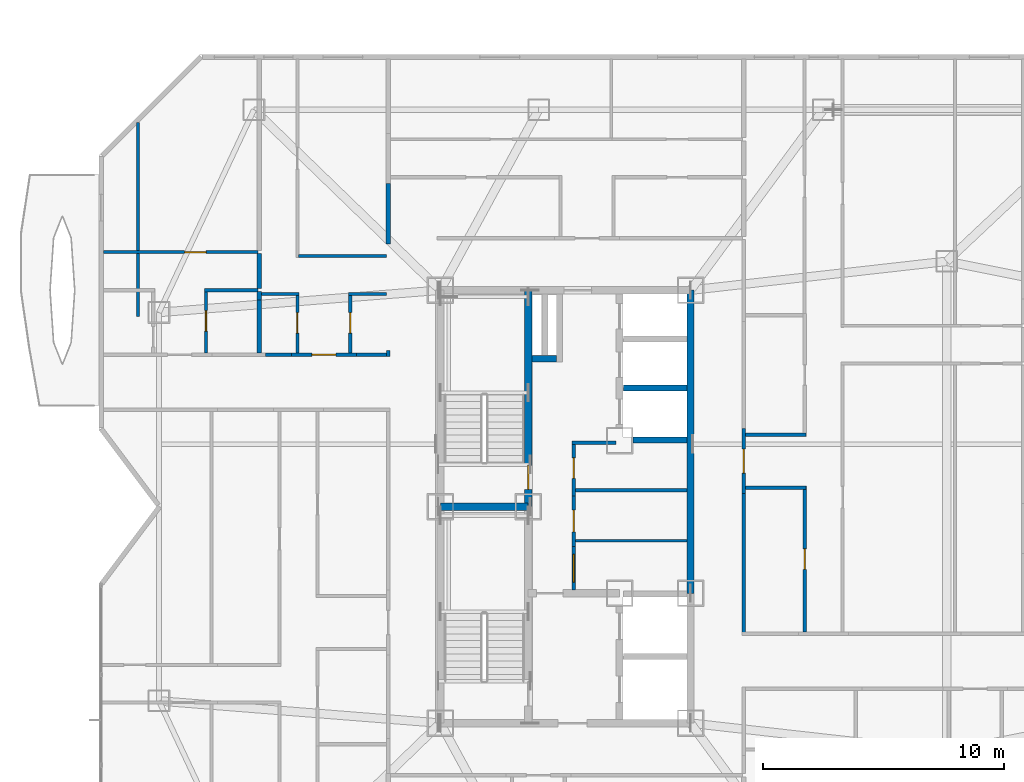
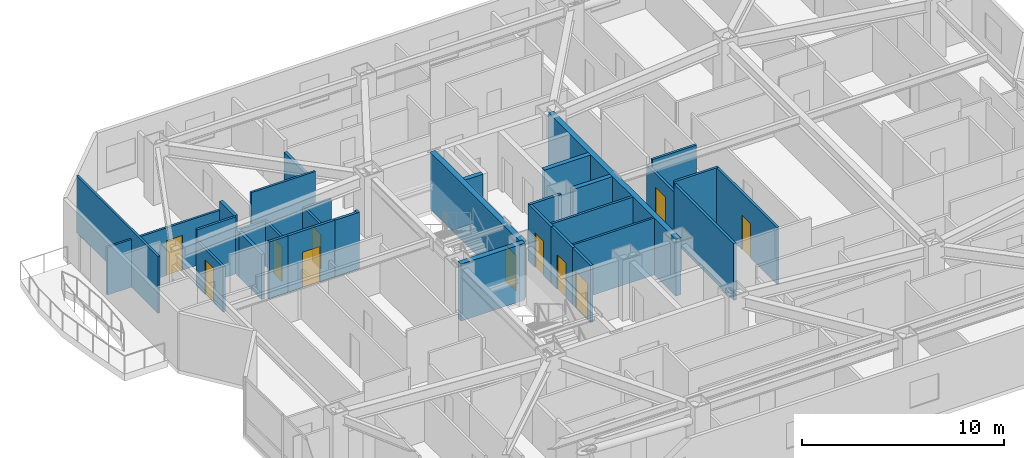
# One storey, part 11 of 16: 34 walls, 11 doors, 11 openings.
"""IFC4 building model written with IfcOpenShell, lengths in metres."""

import ifcopenshell
import ifcopenshell.guid

model = None  # the IFC model being written
_history = None  # IfcOwnerHistory: only IFC2X3 demands one
_inside = {}  # id of a spatial element -> (the spatial element, [elements in it])
_under = {}  # id of a project, library or spatial element -> (it, [spatial elements below it])
_declared = {}  # id of a project -> (the project, [libraries it declares])
_typed = {}  # id of a type object -> (the type object, [elements of that type])
_made_of = {}  # id of a material, layer set ... -> (it, [elements and type objects made of it])


def new_model(schema):
    """Start an empty IFC model of exactly this schema.

    Asked for "IFC4X3", IfcOpenShell would pick the latest addendum, in which some entities
    have other attributes; the version numbers below select the first issue.
    IFC2X3 requires an IfcOwnerHistory on every rooted entity: one is made here for all.
    """
    global model, _history
    if schema == "IFC4X3":
        model = ifcopenshell.file(schema_version=(4, 3, 0, 0))
    else:
        model = ifcopenshell.file(schema=schema)
    _inside.clear()
    _under.clear()
    _declared.clear()
    _typed.clear()
    _made_of.clear()
    _history = None
    if model.schema == "IFC2X3":
        org = make("IfcOrganization", Name="unknown")
        user = make(
            "IfcPersonAndOrganization",
            ThePerson=make("IfcPerson", FamilyName="unknown"),
            TheOrganization=org,
        )
        app = make(
            "IfcApplication",
            ApplicationDeveloper=org,
            Version="unknown",
            ApplicationFullName="unknown",
            ApplicationIdentifier="unknown",
        )
        _history = make(
            "IfcOwnerHistory",
            OwningUser=user,
            OwningApplication=app,
            ChangeAction="ADDED",
            CreationDate=0,
        )
    return model


def make(cls, **values):
    """One entity of the class cls with the attributes given. An attribute that is None is left unset."""
    return model.create_entity(
        cls, **{name: value for name, value in values.items() if value is not None}
    )


def rooted(cls, **values):
    """An entity with a GlobalId (a new one), such as an element, a storey or a relation."""
    return make(cls, GlobalId=ifcopenshell.guid.new(), OwnerHistory=_history, **values)


def si_unit(unit_type, name, prefix=None):
    """IfcSIUnit, for example si_unit("LENGTHUNIT", "METRE", prefix="MILLI")."""
    return make("IfcSIUnit", UnitType=unit_type, Prefix=prefix, Name=name)


def assignment(units):
    """IfcUnitAssignment: the units of a project."""
    return None if units is None else make("IfcUnitAssignment", Units=units)


def point(xyz):
    """IfcCartesianPoint."""
    return None if xyz is None else make("IfcCartesianPoint", Coordinates=xyz)


def direction(xyz):
    """IfcDirection."""
    return None if xyz is None else make("IfcDirection", DirectionRatios=xyz)


def frame(location, z_axis=None, x_axis=None):
    """IfcAxis2Placement3D, a coordinate frame: its origin and axes. An axis left out is left unset."""
    return make(
        "IfcAxis2Placement3D",
        Location=point(location),
        Axis=direction(z_axis),
        RefDirection=direction(x_axis),
    )


def frame_2d(location, x_axis=None):
    """IfcAxis2Placement2D, a coordinate frame in the plane: its origin and x axis."""
    return make(
        "IfcAxis2Placement2D", Location=point(location), RefDirection=direction(x_axis)
    )


def origin():
    """The frame at (0, 0, 0) with its axes left unset."""
    return frame((0.0, 0.0, 0.0))


def place(relative_to, where):
    """IfcLocalPlacement: puts the frame where relative to a parent placement (None: the world)."""
    return make(
        "IfcLocalPlacement", PlacementRelTo=relative_to, RelativePlacement=where
    )


def context(
    kind, dimensions, precision=None, world=None, true_north=None, identifier=None
):
    """IfcGeometricRepresentationContext, for example the 3D "Model" context."""
    return make(
        "IfcGeometricRepresentationContext",
        ContextIdentifier=identifier,
        ContextType=kind,
        CoordinateSpaceDimension=dimensions,
        Precision=precision,
        WorldCoordinateSystem=world,
        TrueNorth=true_north,
    )


def subcontext(parent, identifier, kind, view, scale=None):
    """IfcGeometricRepresentationSubContext, for example "Body" below "Model"."""
    return make(
        "IfcGeometricRepresentationSubContext",
        ContextIdentifier=identifier,
        ContextType=kind,
        ParentContext=parent,
        TargetScale=scale,
        TargetView=view,
    )


def project(units=None, contexts=None):
    """IfcProject with its units and contexts."""
    return rooted(
        "IfcProject",
        Name="project",
        RepresentationContexts=contexts,
        UnitsInContext=assignment(units),
    )


def spatial(cls, under=None, at=None, **own):
    """A site, building, storey or space (cls), placed at a placement, below another one or the project."""
    s = rooted(cls, ObjectPlacement=at, **own)
    if under is not None:
        _under.setdefault(under.id(), (under, []))[1].append(s)
    return s


def profile(cls, at=None, kind="AREA", **sizes):
    """A parametric profile (cls). Its sizes go by their IFC names, for example OverallWidth=200.0."""
    return make(cls, ProfileType=kind, Position=at, **sizes)


def rectangle(**sizes):
    """IfcRectangleProfileDef."""
    return profile("IfcRectangleProfileDef", **sizes)


def extrude(swept, where, along, depth):
    """IfcExtrudedAreaSolid: the profile swept, set in the frame where, extruded along a direction by depth."""
    return make(
        "IfcExtrudedAreaSolid",
        SweptArea=swept,
        Position=where,
        ExtrudedDirection=direction(along),
        Depth=depth,
    )


def shape(context_of_items, identifier, shape_type, items):
    """IfcShapeRepresentation: the items that make up one representation, for example the "Body"."""
    return make(
        "IfcShapeRepresentation",
        ContextOfItems=context_of_items,
        RepresentationIdentifier=identifier,
        RepresentationType=shape_type,
        Items=items,
    )


def material(Name=None, Category=None):
    """IfcMaterial."""
    return make("IfcMaterial", Name=Name, Category=Category)


def layer(
    of_material, thickness, ventilated=None, Name=None, Category=None, Priority=None
):
    """IfcMaterialLayer: one layer of a wall or slab, of a material (None: an air gap)."""
    return make(
        "IfcMaterialLayer",
        Material=of_material,
        LayerThickness=thickness,
        IsVentilated=ventilated,
        Name=Name,
        Category=Category,
        Priority=Priority,
    )


def layer_set(layers, Name=None):
    """IfcMaterialLayerSet."""
    return make("IfcMaterialLayerSet", MaterialLayers=layers, LayerSetName=Name)


def made_of(thing, what):
    """Note that an element or type object is made of a material, layer set ...; save() writes the relation."""
    if what is not None:
        _made_of.setdefault(what.id(), (what, []))[1].append(thing)
    return thing


def type_object(cls, material=None, **own):
    """A type object (cls), such as IfcWallType, which elements share."""
    return made_of(rooted(cls, **own), material)


def element(
    cls,
    number,
    at=None,
    inside=None,
    cuts=None,
    type_object=None,
    material=None,
    context=None,
    identifier="Body",
    shape_type=None,
    held_by="IfcProductDefinitionShape",
    body=None,
    shapes=None,
    **own,
):
    """One element of the class cls, such as IfcWall. Its Tag is "e" and its number.

    at: its placement. inside: the storey or other place that contains it. cuts: it is an
    opening in that element (IfcRelVoidsElement). A single representation is given by context,
    identifier, shape_type and body (its items); several are given by shapes. held_by: the class
    of the entity that holds the representations. save() writes the other relations.
    """
    e = rooted(cls, Tag="e%d" % number, ObjectPlacement=at, **own)
    if body is not None:
        shapes = [shape(context, identifier, shape_type, body)]
    if shapes is not None:
        e.Representation = make(held_by, Representations=shapes)
    if inside is not None:
        _inside.setdefault(inside.id(), (inside, []))[1].append(e)
    if cuts is not None:
        rooted(
            "IfcRelVoidsElement", RelatingBuildingElement=cuts, RelatedOpeningElement=e
        )
    if type_object is not None:
        _typed.setdefault(type_object.id(), (type_object, []))[1].append(e)
    return made_of(e, material)


def fill(opening, filler):
    """IfcRelFillsElement: the door or window that sits in an opening."""
    return rooted(
        "IfcRelFillsElement",
        RelatingOpeningElement=opening,
        RelatedBuildingElement=filler,
    )


def aggregate(whole, parts):
    """IfcRelAggregates: a whole, such as a stair, and the parts it consists of."""
    return rooted("IfcRelAggregates", RelatingObject=whole, RelatedObjects=parts)


def save(model, path):
    """Write the relations noted so far, then the file.

    IfcRelAggregates (storeys below a building ...), IfcRelContainedInSpatialStructure (elements
    in a storey), IfcRelDefinesByType, IfcRelAssociatesMaterial and IfcRelDeclares: one each for
    every whole, place, type object, material and project.
    """
    for whole, parts in _under.values():
        aggregate(whole, parts)
    for where, things in _inside.values():
        rooted(
            "IfcRelContainedInSpatialStructure",
            RelatedElements=things,
            RelatingStructure=where,
        )
    for kind, things in _typed.values():
        rooted("IfcRelDefinesByType", RelatedObjects=things, RelatingType=kind)
    for what, things in _made_of.values():
        rooted("IfcRelAssociatesMaterial", RelatedObjects=things, RelatingMaterial=what)
    for by, libraries in _declared.values():
        rooted("IfcRelDeclares", RelatingContext=by, RelatedDefinitions=libraries)
    model.write(path)


model = new_model("IFC4")

# Units and contexts
model_context = context("Model", 3, precision=1e-05, world=origin(), true_north=direction((0.0, 1.0)))
body_context = subcontext(model_context, "Body", "Model", "MODEL_VIEW")
ifc_project = project(units=[si_unit("LENGTHUNIT", "METRE"), si_unit("AREAUNIT", "SQUARE_METRE"), si_unit("VOLUMEUNIT", "CUBIC_METRE"), si_unit("PLANEANGLEUNIT", "RADIAN"), si_unit("MASSUNIT", "GRAM", prefix="KILO")], contexts=[model_context])

# Site, building, storey
site_placement = place(None, origin())
site = spatial("IfcSite", under=ifc_project, at=site_placement, CompositionType="ELEMENT")
building_placement = place(site_placement, origin())
building = spatial("IfcBuilding", under=site, at=building_placement, Name="Khamvora Tower", CompositionType="ELEMENT")
storey_placement = place(building_placement, frame((0.0, 0.0, 170.5)))
storey = spatial("IfcBuildingStorey", under=building, at=storey_placement, Name="L43", CompositionType="ELEMENT", Elevation=170.5)

# Wall
ifc_material_1 = material(Name="Concrete C50/60", Category="concrete")
ifc_layer_1 = layer(ifc_material_1, 0.300048828125)
ifc_layer_set_1 = layer_set([ifc_layer_1], Name="Concrete C50/60")
wall_type_1 = type_object("IfcWallType", Name="WAL-CORE-300", PredefinedType="SHEAR", material=ifc_layer_set_1)
wall_1_placement = place(storey_placement, frame((39.39990234375, 24.39990234375, 0.0), z_axis=(0.0, 0.0, 1.0), x_axis=(0.0, 1.0, 0.0)))
element("IfcWall", 1, at=wall_1_placement, inside=storey, type_object=wall_type_1, Name="L43 central core east north wall", PredefinedType="SHEAR", context=body_context, shape_type="SweptSolid", body=[
    extrude(rectangle(XDim=12.60009765625, YDim=0.300048828125, at=frame_2d((6.300048828125, 0.0))), origin(), (0.0, 0.0, 1.0), 3.429931640625),
])

# Wall, opening, door
wall_2_placement = place(storey_placement, frame((32.64990234375, 28.0, 0.0), z_axis=(0.0, 0.0, 1.0), x_axis=(0.0, 1.0, 0.0)))
wall_2 = element("IfcWall", 2, at=wall_2_placement, inside=storey, type_object=wall_type_1, Name="L43 central core stair north spine wall", PredefinedType="SHEAR", context=body_context, shape_type="SweptSolid", body=[
    extrude(rectangle(XDim=9.0, YDim=0.300048828125, at=frame_2d((4.5, 0.0))), origin(), (0.0, 0.0, 1.0), 3.429931640625),
])
opening_1_placement = place(wall_2_placement, frame((0.719970703125, 0.0, 0.0)))
opening_1 = element("IfcOpeningElement", 3, at=opening_1_placement, cuts=wall_2, Name="Opening D-ST1", PredefinedType="OPENING", context=body_context, shape_type="SweptSolid", body=[
    extrude(rectangle(XDim=1.0, YDim=2.14990234375, at=frame_2d((0.5, 1.074951171875))), frame((0.0, 0.159912109375, 0.0), z_axis=(0.0, -1.0, 0.0), x_axis=(1.0, 0.0, 0.0)), (0.0, 0.0, 1.0), 0.320068359375),
])
ifc_material_2 = material(Name="Powder-Coated Steel and Hardwood Leaf", Category="steel")
door_type_1 = type_object("IfcDoorType", Name="DOR-STAIR-1000", OperationType="NOTDEFINED", PredefinedType="DOOR", material=ifc_material_2)
door_1_placement = place(opening_1_placement, origin())
door_1 = element("IfcDoor", 4, at=door_1_placement, inside=storey, type_object=door_type_1, Name="L43 exit stair ST-02 fire door", OperationType="SINGLE_SWING_RIGHT", OverallHeight=2.14990234375, OverallWidth=1.0, PredefinedType="DOOR", context=body_context, shape_type="SweptSolid", body=[
    extrude(rectangle(XDim=1.0, YDim=2.14990234375, at=frame_2d((0.5, 1.074951171875))), frame((0.0, 0.02490234375, 0.0), z_axis=(0.0, -1.0, 0.0), x_axis=(1.0, 0.0, 0.0)), (0.0, 0.0, 1.0), 0.050048828125),
])
fill(opening_1, door_1)

# Walls
wall_3_placement = place(storey_placement, frame((29.0, 28.0, 0.0), z_axis=(0.0, 0.0, 1.0), x_axis=(1.0, 0.0, 0.0)))
element("IfcWall", 5, at=wall_3_placement, inside=storey, type_object=wall_type_1, Name="L43 central core stair cross wall", PredefinedType="SHEAR", context=body_context, shape_type="SweptSolid", body=[
    extrude(rectangle(XDim=3.64990234375, YDim=0.300048828125, at=frame_2d((1.824951171875, 0.0))), origin(), (0.0, 0.0, 1.0), 3.429931640625),
])
ifc_material_3 = material(Name="Fire-Rated Drywall and Steel Stud", Category="steel")
ifc_layer_2 = layer(ifc_material_3, 0.14990234375)
ifc_layer_set_2 = layer_set([ifc_layer_2], Name="Fire-Rated Drywall and Steel Stud")
wall_type_2 = type_object("IfcWallType", Name="WAL-CORR-150", PredefinedType="STANDARD", material=ifc_layer_set_2)
wall_4_placement = place(storey_placement, frame((36.300048828125, 30.6650390625, 0.0), z_axis=(0.0, 0.0, 1.0), x_axis=(-1.0, 0.0, 0.0)))
element("IfcWall", 6, at=wall_4_placement, inside=storey, type_object=wall_type_2, Name="L43 interior partition wall 001", PredefinedType="STANDARD", context=body_context, shape_type="SweptSolid", body=[
    extrude(rectangle(XDim=1.820068359375, YDim=0.14990234375, at=frame_2d((0.91015625, 0.0))), origin(), (0.0, 0.0, 1.0), 3.429931640625),
])

# Wall, opening, door
wall_5_placement = place(storey_placement, frame((34.544921875, 30.72998046875, 0.0), z_axis=(0.0, 0.0, 1.0), x_axis=(0.0, -1.0, 0.0)))
wall_5 = element("IfcWall", 7, at=wall_5_placement, inside=storey, type_object=wall_type_2, Name="L43 interior partition wall 002", PredefinedType="STANDARD", context=body_context, shape_type="SweptSolid", body=[
    extrude(rectangle(XDim=2.2939453125, YDim=0.14990234375, at=frame_2d((1.14697265625, 0.0))), origin(), (0.0, 0.0, 1.0), 3.429931640625),
])
opening_2_placement = place(wall_5_placement, frame((0.700927734375, 0.0, 0.0)))
opening_2 = element("IfcOpeningElement", 8, at=opening_2_placement, cuts=wall_5, Name="Opening D-WC1", PredefinedType="OPENING", context=body_context, shape_type="SweptSolid", body=[
    extrude(rectangle(XDim=0.85009765625, YDim=2.10009765625, at=frame_2d((0.425048828125, 1.050048828125))), frame((0.0, 0.0849609375, 0.0), z_axis=(0.0, -1.0, 0.0), x_axis=(1.0, 0.0, 0.0)), (0.0, 0.0, 1.0), 0.169921875),
])
door_type_2 = type_object("IfcDoorType", Name="DOR-WET-850", OperationType="NOTDEFINED", PredefinedType="DOOR", material=ifc_material_2)
door_2_placement = place(opening_2_placement, origin())
door_2 = element("IfcDoor", 9, at=door_2_placement, inside=storey, type_object=door_type_2, Name="L43 interior door PHL-CS1", OperationType="SINGLE_SWING_LEFT", OverallHeight=2.10009765625, OverallWidth=0.85009765625, PredefinedType="DOOR", context=body_context, shape_type="SweptSolid", body=[
    extrude(rectangle(XDim=0.85009765625, YDim=2.10009765625, at=frame_2d((0.425048828125, 1.050048828125))), frame((0.0, 0.02490234375, 0.0), z_axis=(0.0, -1.0, 0.0), x_axis=(1.0, 0.0, 0.0)), (0.0, 0.0, 1.0), 0.050048828125),
])
fill(opening_2, door_2)

wall_6_placement = place(storey_placement, frame((34.544921875, 28.43603515625, 0.0), z_axis=(0.0, 0.0, 1.0), x_axis=(0.0, -1.0, 0.0)))
wall_6 = element("IfcWall", 10, at=wall_6_placement, inside=storey, type_object=wall_type_2, Name="L43 interior partition wall 003", PredefinedType="STANDARD", context=body_context, shape_type="SweptSolid", body=[
    extrude(rectangle(XDim=2.10009765625, YDim=0.14990234375, at=frame_2d((1.050048828125, 0.0))), origin(), (0.0, 0.0, 1.0), 3.429931640625),
])
opening_3_placement = place(wall_6_placement, frame((0.5791015625, 0.0, 0.0)))
opening_3 = element("IfcOpeningElement", 11, at=opening_3_placement, cuts=wall_6, Name="Opening D-RM1", PredefinedType="OPENING", context=body_context, shape_type="SweptSolid", body=[
    extrude(rectangle(XDim=0.89990234375, YDim=2.10009765625, at=frame_2d((0.449951171875, 1.050048828125))), frame((0.0, 0.0849609375, 0.0), z_axis=(0.0, -1.0, 0.0), x_axis=(1.0, 0.0, 0.0)), (0.0, 0.0, 1.0), 0.169921875),
])
door_type_3 = type_object("IfcDoorType", Name="DOR-ROOM-900", OperationType="NOTDEFINED", PredefinedType="DOOR", material=ifc_material_2)
door_3_placement = place(opening_3_placement, origin())
door_3 = element("IfcDoor", 12, at=door_3_placement, inside=storey, type_object=door_type_3, Name="L43 interior door PHL-CS2", OperationType="SINGLE_SWING_RIGHT", OverallHeight=2.10009765625, OverallWidth=0.89990234375, PredefinedType="DOOR", context=body_context, shape_type="SweptSolid", body=[
    extrude(rectangle(XDim=0.89990234375, YDim=2.10009765625, at=frame_2d((0.449951171875, 1.050048828125))), frame((0.0, 0.02490234375, 0.0), z_axis=(0.0, -1.0, 0.0), x_axis=(1.0, 0.0, 0.0)), (0.0, 0.0, 1.0), 0.050048828125),
])
fill(opening_3, door_3)

wall_7_placement = place(storey_placement, frame((34.544921875, 26.3359375, 0.0), z_axis=(0.0, 0.0, 1.0), x_axis=(0.0, -1.0, 0.0)))
wall_7 = element("IfcWall", 13, at=wall_7_placement, inside=storey, type_object=wall_type_2, Name="L43 interior partition wall 004", PredefinedType="STANDARD", context=body_context, shape_type="SweptSolid", body=[
    extrude(rectangle(XDim=1.7919921875, YDim=0.14990234375, at=frame_2d((0.89599609375, 0.0))), origin(), (0.0, 0.0, 1.0), 3.429931640625),
])
opening_4_placement = place(wall_7_placement, frame((0.321044921875, 0.0, 0.0)))
opening_4 = element("IfcOpeningElement", 14, at=opening_4_placement, cuts=wall_7, Name="Opening D-SC1", PredefinedType="OPENING", context=body_context, shape_type="SweptSolid", body=[
    extrude(rectangle(XDim=1.14990234375, YDim=2.199951171875, at=frame_2d((0.574951171875, 1.10009765625))), frame((0.0, 0.0849609375, 0.0), z_axis=(0.0, -1.0, 0.0), x_axis=(1.0, 0.0, 0.0)), (0.0, 0.0, 1.0), 0.169921875),
])
door_type_4 = type_object("IfcDoorType", Name="DOR-SCHL-1150", OperationType="NOTDEFINED", PredefinedType="DOOR", material=ifc_material_2)
door_4_placement = place(opening_4_placement, origin())
door_4 = element("IfcDoor", 15, at=door_4_placement, inside=storey, type_object=door_type_4, Name="L43 interior door PHL-CS3", OperationType="SINGLE_SWING_LEFT", OverallHeight=2.199951171875, OverallWidth=1.14990234375, PredefinedType="DOOR", context=body_context, shape_type="SweptSolid", body=[
    extrude(rectangle(XDim=1.14990234375, YDim=2.199951171875, at=frame_2d((0.574951171875, 1.10009765625))), frame((0.0, 0.02490234375, 0.0), z_axis=(0.0, -1.0, 0.0), x_axis=(1.0, 0.0, 0.0)), (0.0, 0.0, 1.0), 0.050048828125),
])
fill(opening_4, door_4)

wall_8_placement = place(storey_placement, frame((22.805908203125, 34.31494140625, 0.0), z_axis=(0.0, 0.0, 1.0), x_axis=(1.0, 0.0, 0.0)))
wall_8 = element("IfcWall", 16, at=wall_8_placement, inside=storey, type_object=wall_type_2, Name="L43 interior partition wall 017", PredefinedType="STANDARD", context=body_context, shape_type="SweptSolid", body=[
    extrude(rectangle(XDim=2.697998046875, YDim=0.14990234375, at=frame_2d((1.34912109375, 0.0))), origin(), (0.0, 0.0, 1.0), 3.429931640625),
])
opening_5_placement = place(wall_8_placement, frame((0.84912109375, 0.0, 0.0)))
opening_5 = element("IfcOpeningElement", 17, at=opening_5_placement, cuts=wall_8, Name="Opening D-U1", PredefinedType="OPENING", context=body_context, shape_type="SweptSolid", body=[
    extrude(rectangle(XDim=1.0, YDim=2.14990234375, at=frame_2d((0.5, 1.074951171875))), frame((0.0, 0.0849609375, 0.0), z_axis=(0.0, -1.0, 0.0), x_axis=(1.0, 0.0, 0.0)), (0.0, 0.0, 1.0), 0.169921875),
])
door_type_5 = type_object("IfcDoorType", Name="DOR-UNIT-1000", OperationType="NOTDEFINED", PredefinedType="DOOR", material=ifc_material_2)
door_5_placement = place(opening_5_placement, origin())
door_5 = element("IfcDoor", 18, at=door_5_placement, inside=storey, type_object=door_type_5, Name="L43 interior door COR-43WCH", OperationType="SINGLE_SWING_RIGHT", OverallHeight=2.14990234375, OverallWidth=1.0, PredefinedType="DOOR", context=body_context, shape_type="SweptSolid", body=[
    extrude(rectangle(XDim=1.0, YDim=2.14990234375, at=frame_2d((0.5, 1.074951171875))), frame((0.0, 0.02490234375, 0.0), z_axis=(0.0, -1.0, 0.0), x_axis=(1.0, 0.0, 0.0)), (0.0, 0.0, 1.0), 0.050048828125),
])
fill(opening_5, door_5)

# Walls
wall_9_placement = place(storey_placement, frame((25.50390625, 34.31494140625, 0.0), z_axis=(0.0, 0.0, 1.0), x_axis=(1.0, 0.0, 0.0)))
element("IfcWall", 19, at=wall_9_placement, inside=storey, type_object=wall_type_2, Name="L43 interior partition wall 018", PredefinedType="STANDARD", context=body_context, shape_type="SweptSolid", body=[
    extrude(rectangle(XDim=1.39599609375, YDim=0.14990234375, at=frame_2d((0.697998046875, 0.0))), origin(), (0.0, 0.0, 1.0), 3.429931640625),
])
wall_10_placement = place(storey_placement, frame((26.8349609375, 34.25, 0.0), z_axis=(0.0, 0.0, 1.0), x_axis=(0.0, 1.0, 0.0)))
element("IfcWall", 20, at=wall_10_placement, inside=storey, type_object=wall_type_2, Name="L43 interior partition wall 019", PredefinedType="STANDARD", context=body_context, shape_type="SweptSolid", body=[
    extrude(rectangle(XDim=0.25, YDim=0.14990234375, at=frame_2d((0.125, 0.0))), origin(), (0.0, 0.0, 1.0), 3.429931640625),
])
wall_11_placement = place(storey_placement, frame((21.72412109375, 34.31494140625, 0.0), z_axis=(0.0, 0.0, 1.0), x_axis=(1.0, 0.0, 0.0)))
element("IfcWall", 21, at=wall_11_placement, inside=storey, type_object=wall_type_2, Name="L43 interior partition wall 020", PredefinedType="STANDARD", context=body_context, shape_type="SweptSolid", body=[
    extrude(rectangle(XDim=1.081787109375, YDim=0.14990234375, at=frame_2d((0.541015625, 0.0))), origin(), (0.0, 0.0, 1.0), 3.429931640625),
])

# Wall, opening, door
wall_12_placement = place(storey_placement, frame((41.614990234375, 31.239990234375, 0.0), z_axis=(0.0, 0.0, 1.0), x_axis=(0.0, -1.0, 0.0)))
wall_12 = element("IfcWall", 22, at=wall_12_placement, inside=storey, type_object=wall_type_2, Name="L43 interior partition wall 035", PredefinedType="STANDARD", context=body_context, shape_type="SweptSolid", body=[
    extrude(rectangle(XDim=2.697998046875, YDim=0.14990234375, at=frame_2d((1.34912109375, 0.0))), origin(), (0.0, 0.0, 1.0), 2.95703125),
])
opening_6_placement = place(wall_12_placement, frame((0.84912109375, 0.0, 0.0)))
opening_6 = element("IfcOpeningElement", 23, at=opening_6_placement, cuts=wall_12, Name="Opening D-U1", PredefinedType="OPENING", context=body_context, shape_type="SweptSolid", body=[
    extrude(rectangle(XDim=1.0, YDim=2.14990234375, at=frame_2d((0.5, 1.074951171875))), frame((0.0, 0.0849609375, 0.0), z_axis=(0.0, -1.0, 0.0), x_axis=(1.0, 0.0, 0.0)), (0.0, 0.0, 1.0), 0.169921875),
])
door_6_placement = place(opening_6_placement, origin())
door_6 = element("IfcDoor", 24, at=door_6_placement, inside=storey, type_object=door_type_5, Name="L43 interior door COR-43EB1H", OperationType="SINGLE_SWING_RIGHT", OverallHeight=2.14990234375, OverallWidth=1.0, PredefinedType="DOOR", context=body_context, shape_type="SweptSolid", body=[
    extrude(rectangle(XDim=1.0, YDim=2.14990234375, at=frame_2d((0.5, 1.074951171875))), frame((0.0, 0.02490234375, 0.0), z_axis=(0.0, -1.0, 0.0), x_axis=(1.0, 0.0, 0.0)), (0.0, 0.0, 1.0), 0.050048828125),
])
fill(opening_6, door_6)

# Walls
wall_13_placement = place(storey_placement, frame((41.614990234375, 28.5419921875, 0.0), z_axis=(0.0, 0.0, 1.0), x_axis=(0.0, -1.0, 0.0)))
element("IfcWall", 25, at=wall_13_placement, inside=storey, type_object=wall_type_2, Name="L43 interior partition wall 038", PredefinedType="STANDARD", context=body_context, shape_type="SweptSolid", body=[
    extrude(rectangle(XDim=5.89208984375, YDim=0.14990234375, at=frame_2d((2.946044921875, 0.0))), origin(), (0.0, 0.0, 1.0), 3.429931640625),
])
ifc_material_4 = material(Name="Acoustic Double-Stud Fire Wall", Category="gypsum")
ifc_layer_3 = layer(ifc_material_4, 0.179931640625)
ifc_layer_set_3 = layer_set([ifc_layer_3], Name="Acoustic Double-Stud Fire Wall")
wall_type_3 = type_object("IfcWallType", Name="WAL-CORR-180", PredefinedType="STANDARD", material=ifc_layer_set_3)
wall_14_placement = place(storey_placement, frame((21.47509765625, 38.51611328125, 0.0), z_axis=(0.0, 0.0, 1.0), x_axis=(0.0, -1.0, 0.0)))
element("IfcWall", 26, at=wall_14_placement, inside=storey, type_object=wall_type_3, Name="L43 interior partition wall 068", PredefinedType="STANDARD", context=body_context, shape_type="SweptSolid", body=[
    extrude(rectangle(XDim=1.4501953125, YDim=0.179931640625, at=frame_2d((0.72509765625, 0.0))), origin(), (0.0, 0.0, 1.0), 3.429931640625),
])
wall_15_placement = place(storey_placement, frame((21.47509765625, 36.93603515625, 0.0), z_axis=(0.0, 0.0, 1.0), x_axis=(0.0, -1.0, 0.0)))
element("IfcWall", 27, at=wall_15_placement, inside=storey, type_object=wall_type_3, Name="L43 interior partition wall 069", PredefinedType="STANDARD", context=body_context, shape_type="SweptSolid", body=[
    extrude(rectangle(XDim=0.340087890625, YDim=0.179931640625, at=frame_2d((0.169921875, 0.0))), origin(), (0.0, 0.0, 1.0), 2.72509765625),
])
wall_16_placement = place(storey_placement, frame((21.47509765625, 36.595947265625, 0.0), z_axis=(0.0, 0.0, 1.0), x_axis=(0.0, -1.0, 0.0)))
element("IfcWall", 28, at=wall_16_placement, inside=storey, type_object=wall_type_3, Name="L43 interior partition wall 070", PredefinedType="STANDARD", context=body_context, shape_type="SweptSolid", body=[
    extrude(rectangle(XDim=2.216064453125, YDim=0.179931640625, at=frame_2d((1.10791015625, 0.0))), origin(), (0.0, 0.0, 1.0), 2.72509765625),
])
wall_17_placement = place(storey_placement, frame((26.8349609375, 41.446044921875, 0.0), z_axis=(0.0, 0.0, 1.0), x_axis=(0.0, -1.0, 0.0)))
element("IfcWall", 29, at=wall_17_placement, inside=storey, type_object=wall_type_3, Name="L43 interior partition wall 079", PredefinedType="STANDARD", context=body_context, shape_type="SweptSolid", body=[
    extrude(rectangle(XDim=2.530029296875, YDim=0.179931640625, at=frame_2d((1.26513671875, 0.0))), origin(), (0.0, 0.0, 1.0), 2.72509765625),
])
ifc_material_5 = material(Name="Gypsum Plasterboard Partition", Category="gypsum")
ifc_layer_4 = layer(ifc_material_5, 0.1201171875)
ifc_layer_set_4 = layer_set([ifc_layer_4], Name="Gypsum Plasterboard Partition")
wall_type_4 = type_object("IfcWallType", Name="WAL-PART-120", PredefinedType="PARTITIONING", material=ifc_layer_set_4)
wall_18_placement = place(storey_placement, frame((39.256103515625, 26.5849609375, 0.0), z_axis=(0.0, 0.0, 1.0), x_axis=(-1.0, 0.0, 0.0)))
element("IfcWall", 30, at=wall_18_placement, inside=storey, type_object=wall_type_4, Name="L43 interior partition wall 006", PredefinedType="PARTITIONING", context=body_context, shape_type="SweptSolid", body=[
    extrude(rectangle(XDim=4.64404296875, YDim=0.1201171875, at=frame_2d((2.322021484375, 0.0))), origin(), (0.0, 0.0, 1.0), 3.429931640625),
])
wall_19_placement = place(storey_placement, frame((16.425048828125, 43.968994140625, 0.0), z_axis=(0.0, 0.0, 1.0), x_axis=(0.0, -1.0, 0.0)))
element("IfcWall", 31, at=wall_19_placement, inside=storey, type_object=wall_type_4, Name="L43 interior partition wall 066", PredefinedType="PARTITIONING", context=body_context, shape_type="SweptSolid", body=[
    extrude(rectangle(XDim=8.052978515625, YDim=0.1201171875, at=frame_2d((4.0263671875, 0.0))), origin(), (0.0, 0.0, 1.0), 3.429931640625),
])

# Wall, opening, door
wall_20_placement = place(storey_placement, frame((14.991943359375, 38.5810546875, 0.0), z_axis=(0.0, 0.0, 1.0), x_axis=(1.0, 0.0, 0.0)))
wall_20 = element("IfcWall", 32, at=wall_20_placement, inside=storey, type_object=wall_type_4, Name="L43 interior partition wall 067", PredefinedType="PARTITIONING", context=body_context, shape_type="SweptSolid", body=[
    extrude(rectangle(XDim=6.41796875, YDim=0.1201171875, at=frame_2d((3.208984375, 0.0))), origin(), (0.0, 0.0, 1.0), 2.8759765625),
])
opening_7_placement = place(wall_20_placement, frame((3.3720703125, 0.0, 0.0)))
opening_7 = element("IfcOpeningElement", 33, at=opening_7_placement, cuts=wall_20, Name="Opening D-RM1", PredefinedType="OPENING", context=body_context, shape_type="SweptSolid", body=[
    extrude(rectangle(XDim=0.89990234375, YDim=2.10009765625, at=frame_2d((0.449951171875, 1.050048828125))), frame((0.0, 0.070068359375, 0.0), z_axis=(0.0, -1.0, 0.0), x_axis=(1.0, 0.0, 0.0)), (0.0, 0.0, 1.0), 0.14013671875),
])
door_7_placement = place(opening_7_placement, origin())
door_7 = element("IfcDoor", 34, at=door_7_placement, inside=storey, type_object=door_type_3, Name="L43 interior door 43WBH-43WBR1", OperationType="SINGLE_SWING_RIGHT", OverallHeight=2.10009765625, OverallWidth=0.89990234375, PredefinedType="DOOR", context=body_context, shape_type="SweptSolid", body=[
    extrude(rectangle(XDim=0.89990234375, YDim=2.10009765625, at=frame_2d((0.449951171875, 1.050048828125))), frame((0.0, 0.02490234375, 0.0), z_axis=(0.0, -1.0, 0.0), x_axis=(1.0, 0.0, 0.0)), (0.0, 0.0, 1.0), 0.050048828125),
])
fill(opening_7, door_7)

# Walls
wall_21_placement = place(storey_placement, frame((23.10888671875, 38.425048828125, 0.0), z_axis=(0.0, 0.0, 1.0), x_axis=(1.0, 0.0, 0.0)))
element("IfcWall", 35, at=wall_21_placement, inside=storey, type_object=wall_type_4, Name="L43 interior partition wall 077", PredefinedType="PARTITIONING", context=body_context, shape_type="SweptSolid", body=[
    extrude(rectangle(XDim=3.6611328125, YDim=0.1201171875, at=frame_2d((1.83056640625, 0.0))), origin(), (0.0, 0.0, 1.0), 3.429931640625),
])
ifc_material_6 = material(Name="Concrete C40/50", Category="concrete")
ifc_layer_5 = layer(ifc_material_6, 0.25)
ifc_layer_set_5 = layer_set([ifc_layer_5], Name="Concrete C40/50")
wall_type_5 = type_object("IfcWallType", Name="WAL-PODS-250", PredefinedType="SHEAR", material=ifc_layer_set_5)
wall_22_placement = place(storey_placement, frame((37.00390625, 30.77490234375, 0.0), z_axis=(0.0, 0.0, 1.0), x_axis=(1.0, 0.0, 0.0)))
element("IfcWall", 36, at=wall_22_placement, inside=storey, type_object=wall_type_5, Name="L43 high-rise lift shaft south enclosure wall PH-01", PredefinedType="SHEAR", context=body_context, shape_type="SweptSolid", body=[
    extrude(rectangle(XDim=2.2421875, YDim=0.25, at=frame_2d((1.12109375, 0.0))), origin(), (0.0, 0.0, 1.0), 3.429931640625),
])
wall_23_placement = place(storey_placement, frame((36.60400390625, 32.925048828125, 0.0), z_axis=(0.0, 0.0, 1.0), x_axis=(1.0, 0.0, 0.0)))
element("IfcWall", 37, at=wall_23_placement, inside=storey, type_object=wall_type_5, Name="L43 lift shaft divider wall PH-01", PredefinedType="SHEAR", context=body_context, shape_type="SweptSolid", body=[
    extrude(rectangle(XDim=2.64208984375, YDim=0.25, at=frame_2d((1.321044921875, 0.0))), origin(), (0.0, 0.0, 1.0), 3.429931640625),
])
wall_24_placement = place(storey_placement, frame((32.803955078125, 34.14990234375, 0.0), z_axis=(0.0, 0.0, 1.0), x_axis=(1.0, 0.0, 0.0)))
element("IfcWall", 38, at=wall_24_placement, inside=storey, type_object=wall_type_5, Name="L43 vertical MEP riser shaft south enclosure wall", PredefinedType="SHEAR", context=body_context, shape_type="SweptSolid", body=[
    extrude(rectangle(XDim=1.02197265625, YDim=0.25, at=frame_2d((0.510986328125, 0.0))), origin(), (0.0, 0.0, 1.0), 3.429931640625),
])
ifc_material_7 = material(Name="Moisture-Resistant Plasterboard Partition", Category="gypsum")
ifc_layer_6 = layer(ifc_material_7, 0.135009765625)
ifc_layer_set_6 = layer_set([ifc_layer_6], Name="Moisture-Resistant Plasterboard Partition")
wall_type_6 = type_object("IfcWallType", Name="WAL-WET-135", PredefinedType="PARTITIONING", material=ifc_layer_set_6)
wall_25_placement = place(storey_placement, frame((39.256103515625, 28.68505859375, 0.0), z_axis=(0.0, 0.0, 1.0), x_axis=(-1.0, 0.0, 0.0)))
element("IfcWall", 39, at=wall_25_placement, inside=storey, type_object=wall_type_6, Name="L43 interior partition wall 005", PredefinedType="PARTITIONING", context=body_context, shape_type="SweptSolid", body=[
    extrude(rectangle(XDim=4.64404296875, YDim=0.135009765625, at=frame_2d((2.322021484375, 0.0))), origin(), (0.0, 0.0, 1.0), 3.429931640625),
])
wall_26_placement = place(storey_placement, frame((21.409912109375, 37.0009765625, 0.0), z_axis=(0.0, 0.0, 1.0), x_axis=(-1.0, 0.0, 0.0)))
element("IfcWall", 40, at=wall_26_placement, inside=storey, type_object=wall_type_6, Name="L43 interior partition wall 064", PredefinedType="PARTITIONING", context=body_context, shape_type="SweptSolid", body=[
    extrude(rectangle(XDim=2.21484375, YDim=0.135009765625, at=frame_2d((1.107421875, 0.0))), origin(), (0.0, 0.0, 1.0), 3.429931640625),
])

# Wall, opening, door
wall_27_placement = place(storey_placement, frame((19.260009765625, 37.06591796875, 0.0), z_axis=(0.0, 0.0, 1.0), x_axis=(0.0, -1.0, 0.0)))
wall_27 = element("IfcWall", 41, at=wall_27_placement, inside=storey, type_object=wall_type_6, Name="L43 interior partition wall 065", PredefinedType="PARTITIONING", context=body_context, shape_type="SweptSolid", body=[
    extrude(rectangle(XDim=2.68603515625, YDim=0.135009765625, at=frame_2d((1.343017578125, 0.0))), origin(), (0.0, 0.0, 1.0), 2.72509765625),
])
opening_8_placement = place(wall_27_placement, frame((0.91796875, 0.0, 0.0)))
opening_8 = element("IfcOpeningElement", 42, at=opening_8_placement, cuts=wall_27, Name="Opening D-RM2", PredefinedType="OPENING", context=body_context, shape_type="SweptSolid", body=[
    extrude(rectangle(XDim=0.85009765625, YDim=2.10009765625, at=frame_2d((0.425048828125, 1.050048828125))), frame((0.0, 0.077392578125, 0.0), z_axis=(0.0, -1.0, 0.0), x_axis=(1.0, 0.0, 0.0)), (0.0, 0.0, 1.0), 0.155029296875),
])
door_type_6 = type_object("IfcDoorType", Name="DOR-ROOM-850", OperationType="NOTDEFINED", PredefinedType="DOOR", material=ifc_material_2)
door_8_placement = place(opening_8_placement, origin())
door_8 = element("IfcDoor", 43, at=door_8_placement, inside=storey, type_object=door_type_6, Name="L43 interior door 43WBH-43WBK", OperationType="SINGLE_SWING_LEFT", OverallHeight=2.10009765625, OverallWidth=0.85009765625, PredefinedType="DOOR", context=body_context, shape_type="SweptSolid", body=[
    extrude(rectangle(XDim=0.85009765625, YDim=2.10009765625, at=frame_2d((0.425048828125, 1.050048828125))), frame((0.0, 0.02490234375, 0.0), z_axis=(0.0, -1.0, 0.0), x_axis=(1.0, 0.0, 0.0)), (0.0, 0.0, 1.0), 0.050048828125),
])
fill(opening_8, door_8)

# Wall
wall_28_placement = place(storey_placement, frame((26.77001953125, 36.844970703125, 0.0), z_axis=(0.0, 0.0, 1.0), x_axis=(-1.0, 0.0, 0.0)))
element("IfcWall", 44, at=wall_28_placement, inside=storey, type_object=wall_type_6, Name="L43 interior partition wall 072", PredefinedType="PARTITIONING", context=body_context, shape_type="SweptSolid", body=[
    extrude(rectangle(XDim=1.580078125, YDim=0.135009765625, at=frame_2d((0.7900390625, 0.0))), origin(), (0.0, 0.0, 1.0), 2.72509765625),
])

# Wall, opening, door
wall_29_placement = place(storey_placement, frame((25.2548828125, 36.909912109375, 0.0), z_axis=(0.0, 0.0, 1.0), x_axis=(0.0, -1.0, 0.0)))
wall_29 = element("IfcWall", 45, at=wall_29_placement, inside=storey, type_object=wall_type_6, Name="L43 interior partition wall 073", PredefinedType="PARTITIONING", context=body_context, shape_type="SweptSolid", body=[
    extrude(rectangle(XDim=2.530029296875, YDim=0.135009765625, at=frame_2d((1.26513671875, 0.0))), origin(), (0.0, 0.0, 1.0), 2.72509765625),
])
opening_9_placement = place(wall_29_placement, frame((0.840087890625, 0.0, 0.0)))
opening_9 = element("IfcOpeningElement", 46, at=opening_9_placement, cuts=wall_29, Name="Opening D-WC1", PredefinedType="OPENING", context=body_context, shape_type="SweptSolid", body=[
    extrude(rectangle(XDim=0.85009765625, YDim=2.10009765625, at=frame_2d((0.425048828125, 1.050048828125))), frame((0.0, 0.077392578125, 0.0), z_axis=(0.0, -1.0, 0.0), x_axis=(1.0, 0.0, 0.0)), (0.0, 0.0, 1.0), 0.155029296875),
])
door_9_placement = place(opening_9_placement, origin())
door_9 = element("IfcDoor", 47, at=door_9_placement, inside=storey, type_object=door_type_2, Name="L43 interior door 43WCH-43WCB", OperationType="SINGLE_SWING_LEFT", OverallHeight=2.10009765625, OverallWidth=0.85009765625, PredefinedType="DOOR", context=body_context, shape_type="SweptSolid", body=[
    extrude(rectangle(XDim=0.85009765625, YDim=2.10009765625, at=frame_2d((0.425048828125, 1.050048828125))), frame((0.0, 0.02490234375, 0.0), z_axis=(0.0, -1.0, 0.0), x_axis=(1.0, 0.0, 0.0)), (0.0, 0.0, 1.0), 0.050048828125),
])
fill(opening_9, door_9)

wall_30_placement = place(storey_placement, frame((23.054931640625, 34.3798828125, 0.0), z_axis=(0.0, 0.0, 1.0), x_axis=(0.0, 1.0, 0.0)))
wall_30 = element("IfcWall", 48, at=wall_30_placement, inside=storey, type_object=wall_type_6, Name="L43 interior partition wall 074", PredefinedType="PARTITIONING", context=body_context, shape_type="SweptSolid", body=[
    extrude(rectangle(XDim=2.530029296875, YDim=0.135009765625, at=frame_2d((1.26513671875, 0.0))), origin(), (0.0, 0.0, 1.0), 2.72509765625),
])
opening_10_placement = place(wall_30_placement, frame((0.840087890625, 0.0, 0.0)))
opening_10 = element("IfcOpeningElement", 49, at=opening_10_placement, cuts=wall_30, Name="Opening D-RM2", PredefinedType="OPENING", context=body_context, shape_type="SweptSolid", body=[
    extrude(rectangle(XDim=0.85009765625, YDim=2.10009765625, at=frame_2d((0.425048828125, 1.050048828125))), frame((0.0, 0.077392578125, 0.0), z_axis=(0.0, -1.0, 0.0), x_axis=(1.0, 0.0, 0.0)), (0.0, 0.0, 1.0), 0.155029296875),
])
door_10_placement = place(opening_10_placement, origin())
door_10 = element("IfcDoor", 50, at=door_10_placement, inside=storey, type_object=door_type_6, Name="L43 interior door 43WCH-43WCK", OperationType="SINGLE_SWING_RIGHT", OverallHeight=2.10009765625, OverallWidth=0.85009765625, PredefinedType="DOOR", context=body_context, shape_type="SweptSolid", body=[
    extrude(rectangle(XDim=0.85009765625, YDim=2.10009765625, at=frame_2d((0.425048828125, 1.050048828125))), frame((0.0, 0.02490234375, 0.0), z_axis=(0.0, -1.0, 0.0), x_axis=(1.0, 0.0, 0.0)), (0.0, 0.0, 1.0), 0.050048828125),
])
fill(opening_10, door_10)

# Walls
wall_31_placement = place(storey_placement, frame((23.1201171875, 36.844970703125, 0.0), z_axis=(0.0, 0.0, 1.0), x_axis=(-1.0, 0.0, 0.0)))
element("IfcWall", 51, at=wall_31_placement, inside=storey, type_object=wall_type_6, Name="L43 interior partition wall 075", PredefinedType="PARTITIONING", context=body_context, shape_type="SweptSolid", body=[
    extrude(rectangle(XDim=1.563232421875, YDim=0.135009765625, at=frame_2d((0.78173828125, 0.0))), origin(), (0.0, 0.0, 1.0), 2.72509765625),
])
wall_32_placement = place(storey_placement, frame((41.681884765625, 30.990966796875, 0.0), z_axis=(0.0, 0.0, 1.0), x_axis=(1.0, 0.0, 0.0)))
element("IfcWall", 52, at=wall_32_placement, inside=storey, type_object=wall_type_6, Name="L43 interior partition wall 117", PredefinedType="PARTITIONING", context=body_context, shape_type="SweptSolid", body=[
    extrude(rectangle(XDim=2.528076171875, YDim=0.135009765625, at=frame_2d((1.26416015625, 0.0))), origin(), (0.0, 0.0, 1.0), 3.429931640625),
])

# Wall, opening, door
wall_33_placement = place(storey_placement, frame((44.14501953125, 22.780029296875, 0.0), z_axis=(0.0, 0.0, 1.0), x_axis=(0.0, 1.0, 0.0)))
wall_33 = element("IfcWall", 53, at=wall_33_placement, inside=storey, type_object=wall_type_6, Name="L43 interior partition wall 119", PredefinedType="PARTITIONING", context=body_context, shape_type="SweptSolid", body=[
    extrude(rectangle(XDim=6.075927734375, YDim=0.135009765625, at=frame_2d((3.0380859375, 0.0))), origin(), (0.0, 0.0, 1.0), 3.429931640625),
])
opening_11_placement = place(wall_33_placement, frame((2.613037109375, 0.0, 0.0)))
opening_11 = element("IfcOpeningElement", 54, at=opening_11_placement, cuts=wall_33, Name="Opening D-RM2", PredefinedType="OPENING", context=body_context, shape_type="SweptSolid", body=[
    extrude(rectangle(XDim=0.85009765625, YDim=2.10009765625, at=frame_2d((0.425048828125, 1.050048828125))), frame((0.0, 0.077392578125, 0.0), z_axis=(0.0, -1.0, 0.0), x_axis=(1.0, 0.0, 0.0)), (0.0, 0.0, 1.0), 0.155029296875),
])
door_11_placement = place(opening_11_placement, origin())
door_11 = element("IfcDoor", 55, at=door_11_placement, inside=storey, type_object=door_type_6, Name="L43 interior door 43EB1H-43EB1K", OperationType="SINGLE_SWING_LEFT", OverallHeight=2.10009765625, OverallWidth=0.85009765625, PredefinedType="DOOR", context=body_context, shape_type="SweptSolid", body=[
    extrude(rectangle(XDim=0.85009765625, YDim=2.10009765625, at=frame_2d((0.425048828125, 1.050048828125))), frame((0.0, 0.02490234375, 0.0), z_axis=(0.0, -1.0, 0.0), x_axis=(1.0, 0.0, 0.0)), (0.0, 0.0, 1.0), 0.050048828125),
])
fill(opening_11, door_11)

# Wall
wall_34_placement = place(storey_placement, frame((44.2099609375, 28.791015625, 0.0), z_axis=(0.0, 0.0, 1.0), x_axis=(-1.0, 0.0, 0.0)))
element("IfcWall", 56, at=wall_34_placement, inside=storey, type_object=wall_type_6, Name="L43 interior partition wall 120", PredefinedType="PARTITIONING", context=body_context, shape_type="SweptSolid", body=[
    extrude(rectangle(XDim=2.528076171875, YDim=0.135009765625, at=frame_2d((1.26416015625, 0.0))), origin(), (0.0, 0.0, 1.0), 3.429931640625),
])

save(model, "model.ifc")
